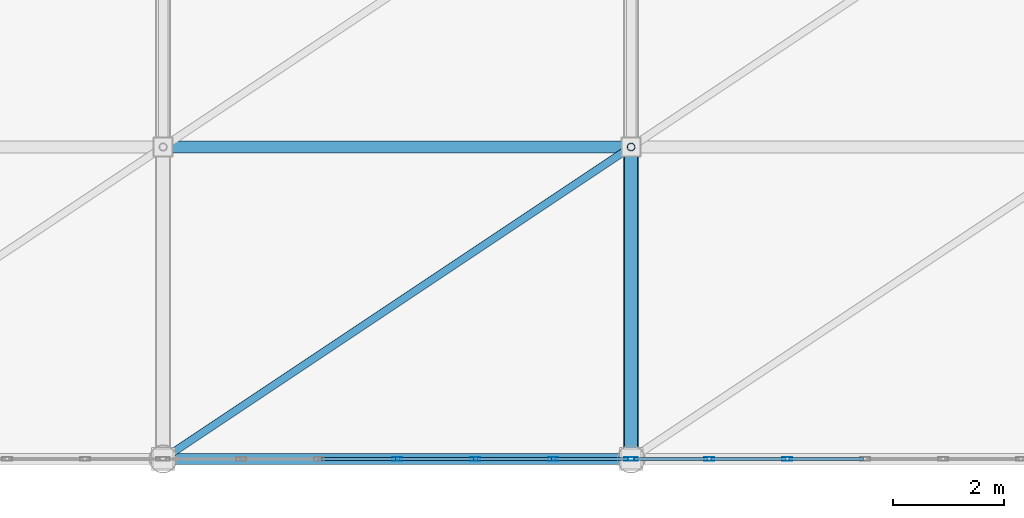
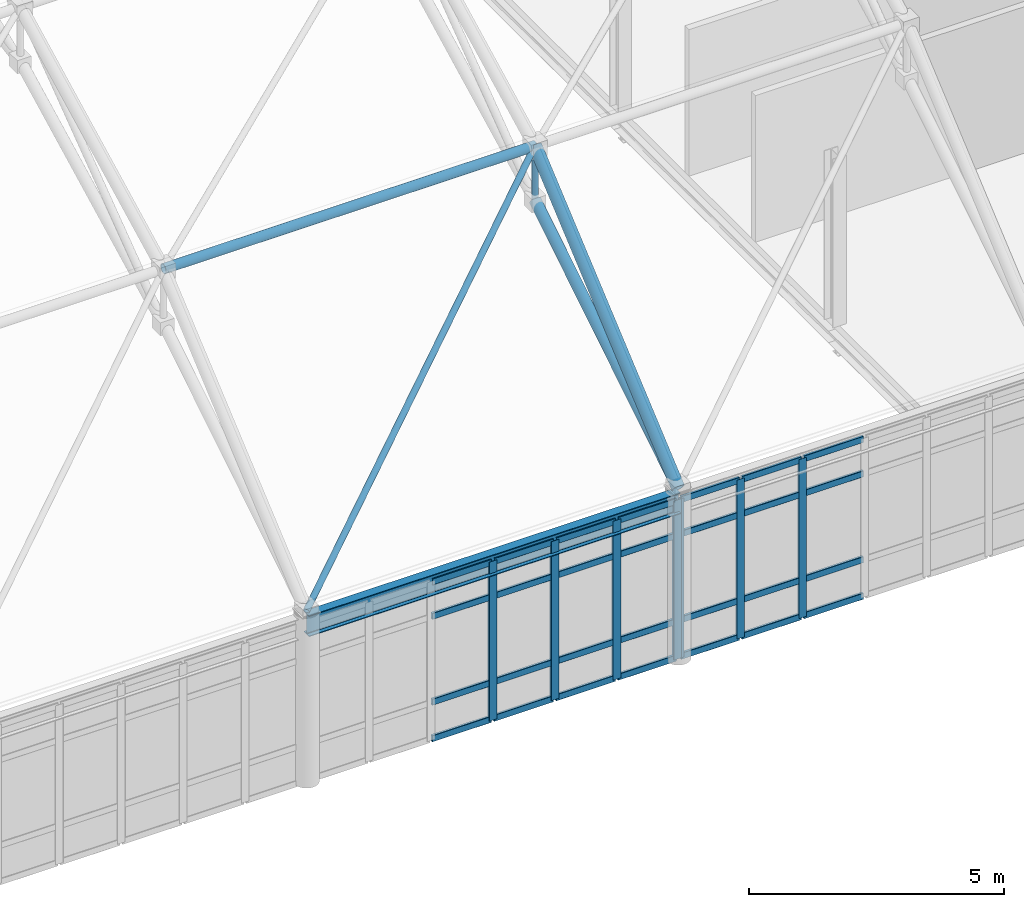
# One storey, part 80 of 184: 40 members, 1 beam, 2 elements without a shape of their own.
"""IFC4 building model written with IfcOpenShell, lengths in metres."""

from ifc_helpers import new_model, si_unit, direction, frame, origin, origin_2d, place, context, subcontext, project, spatial, hollow_rectangle, hollow_circle, i_section, extrude, material, layer, layer_set, material_profile, profile_set, type_object, element, aggregate, save


model = new_model("IFC4")

# Units and contexts
model_context = context("Model", 3, precision=1e-05, world=origin(), true_north=direction((0.0, 1.0)))
body_context = subcontext(model_context, "Body", "Model", "MODEL_VIEW")
ifc_project = project(units=[si_unit("LENGTHUNIT", "METRE"), si_unit("AREAUNIT", "SQUARE_METRE"), si_unit("VOLUMEUNIT", "CUBIC_METRE"), si_unit("PLANEANGLEUNIT", "RADIAN"), si_unit("MASSUNIT", "GRAM", prefix="KILO")], contexts=[model_context])

# Site, building, storey
site_placement = place(None, origin())
site = spatial("IfcSite", under=ifc_project, at=site_placement, CompositionType="ELEMENT")
building_placement = place(site_placement, origin())
building = spatial("IfcBuilding", under=site, at=building_placement, Name="Qalvenar Corner Mobility Hub", CompositionType="ELEMENT")
storey_placement = place(building_placement, frame((0.0, 0.0, 9.0)))
storey = spatial("IfcBuildingStorey", under=building, at=storey_placement, Name="L02", CompositionType="ELEMENT", Elevation=9.0)

# Beam
ifc_material_1 = material(Name="Steel S355", Category="steel")
ifc_material_profile_1 = material_profile(ifc_material_1, i_section(OverallWidth=0.199951171875, OverallDepth=0.5, WebThickness=0.01025390625, FlangeThickness=0.01611328125, FilletRadius=0.02099609375, at=origin_2d()), Name="IPE500")
ifc_profile_set_1 = profile_set([ifc_material_profile_1], Name="Steel S355")
beam_type = type_object("IfcBeamType", Name="BM-IPE500", PredefinedType="BEAM", material=ifc_profile_set_1)
beam_placement = place(storey_placement, frame((92.39990234375, 0.0, 3.75), z_axis=(1.0, 0.0, 0.0), x_axis=(0.0, 1.0, 0.0)))
element("IfcBeam", 1, at=beam_placement, inside=storey, type_object=beam_type, Name="Space Frame Ring Beam SFRB-6-0", PredefinedType="BEAM", context=body_context, shape_type="SweptSolid", body=[
    extrude(i_section(OverallWidth=0.199951171875, OverallDepth=0.5, WebThickness=0.01025390625, FlangeThickness=0.01611328125, FilletRadius=0.02099609375, at=origin_2d()), origin(), (0.0, 0.0, 1.0), 8.400146484375),
])

# Curtain wall, members
ifc_material_2 = material(Name="Anodised Aluminium and Low-E Glazing", Category="aluminium")
ifc_layer = layer(ifc_material_2, 0.179931640625)
ifc_layer_set = layer_set([ifc_layer], Name="Anodised Aluminium and Low-E Glazing")
curtain_wall_type = type_object("IfcCurtainWallType", Name="CW-CONC-84X42", PredefinedType="NOTDEFINED", material=ifc_layer_set)
curtain_wall_1_placement = place(storey_placement, origin())
curtain_wall_1 = element("IfcCurtainWall", 2, at=curtain_wall_1_placement, inside=storey, type_object=curtain_wall_type, Name="Glazed Curtain Wall CW-V1-L02-S5", PredefinedType="NOTDEFINED")
ifc_material_3 = material(Name="Anodised Aluminium 6063-T6", Category="aluminium")
ifc_material_profile_2 = material_profile(ifc_material_3, hollow_rectangle(XDim=0.06494140625, YDim=0.179931640625, WallThickness=0.00390625, InnerFilletRadius=0.00390625, OuterFilletRadius=0.008056640625, at=origin_2d()), Name="RHS180x65x4")
ifc_profile_set_2 = profile_set([ifc_material_profile_2], Name="Anodised Aluminium 6063-T6")
member_type_1 = type_object("IfcMemberType", Name="CW-MUL180", PredefinedType="MULLION", material=ifc_profile_set_2)
member_1_placement = place(storey_placement, frame((96.60009765625, 0.0, 0.0), z_axis=(0.0, 0.0, 1.0), x_axis=(0.0, 1.0, 0.0)))
member_1 = element("IfcMember", 3, at=member_1_placement, type_object=member_type_1, Name="CW-02 mullion 4", PredefinedType="MULLION", context=body_context, shape_type="SweptSolid", body=[
    extrude(hollow_rectangle(XDim=0.06494140625, YDim=0.179931640625, WallThickness=0.00390625, InnerFilletRadius=0.00390625, OuterFilletRadius=0.008056640625, at=origin_2d()), origin(), (0.0, 0.0, 1.0), 3.800048828125),
])
member_2_placement = place(storey_placement, frame((98.0, 0.0, 0.0), z_axis=(0.0, 0.0, 1.0), x_axis=(0.0, 1.0, 0.0)))
member_2 = element("IfcMember", 4, at=member_2_placement, type_object=member_type_1, Name="CW-02 mullion 5", PredefinedType="MULLION", context=body_context, shape_type="SweptSolid", body=[
    extrude(hollow_rectangle(XDim=0.06494140625, YDim=0.179931640625, WallThickness=0.00390625, InnerFilletRadius=0.00390625, OuterFilletRadius=0.008056640625, at=origin_2d()), origin(), (0.0, 0.0, 1.0), 3.800048828125),
])
member_3_placement = place(storey_placement, frame((99.39990234375, 0.0, 0.0), z_axis=(0.0, 0.0, 1.0), x_axis=(0.0, 1.0, 0.0)))
member_3 = element("IfcMember", 5, at=member_3_placement, type_object=member_type_1, Name="CW-02 mullion 6", PredefinedType="MULLION", context=body_context, shape_type="SweptSolid", body=[
    extrude(hollow_rectangle(XDim=0.06494140625, YDim=0.179931640625, WallThickness=0.00390625, InnerFilletRadius=0.00390625, OuterFilletRadius=0.008056640625, at=origin_2d()), origin(), (0.0, 0.0, 1.0), 3.800048828125),
])
member_4_placement = place(storey_placement, frame((100.77001953125, 0.0, 0.0), z_axis=(0.0, 0.0, 1.0), x_axis=(0.0, 1.0, 0.0)))
member_4 = element("IfcMember", 6, at=member_4_placement, type_object=member_type_1, Name="CW-02 mullion 7", PredefinedType="MULLION", context=body_context, shape_type="SweptSolid", body=[
    extrude(hollow_rectangle(XDim=0.06494140625, YDim=0.179931640625, WallThickness=0.00390625, InnerFilletRadius=0.00390625, OuterFilletRadius=0.008056640625, at=origin_2d()), origin(), (0.0, 0.0, 1.0), 3.800048828125),
])

curtain_wall_2_placement = place(storey_placement, origin())
curtain_wall_2 = element("IfcCurtainWall", 7, at=curtain_wall_2_placement, inside=storey, type_object=curtain_wall_type, Name="Glazed Curtain Wall CW-V1-L02-S6", PredefinedType="NOTDEFINED")
member_5_placement = place(storey_placement, frame((100.830078125, 0.0, 0.0), z_axis=(0.0, 0.0, 1.0), x_axis=(0.0, 1.0, 0.0)))
member_5 = element("IfcMember", 8, at=member_5_placement, type_object=member_type_1, Name="CW-02 mullion 1", PredefinedType="MULLION", context=body_context, shape_type="SweptSolid", body=[
    extrude(hollow_rectangle(XDim=0.06494140625, YDim=0.179931640625, WallThickness=0.00390625, InnerFilletRadius=0.00390625, OuterFilletRadius=0.008056640625, at=origin_2d()), origin(), (0.0, 0.0, 1.0), 3.800048828125),
])
member_6_placement = place(storey_placement, frame((102.199951171875, 0.0, 0.0), z_axis=(0.0, 0.0, 1.0), x_axis=(0.0, 1.0, 0.0)))
member_6 = element("IfcMember", 9, at=member_6_placement, type_object=member_type_1, Name="CW-02 mullion 2", PredefinedType="MULLION", context=body_context, shape_type="SweptSolid", body=[
    extrude(hollow_rectangle(XDim=0.06494140625, YDim=0.179931640625, WallThickness=0.00390625, InnerFilletRadius=0.00390625, OuterFilletRadius=0.008056640625, at=origin_2d()), origin(), (0.0, 0.0, 1.0), 3.800048828125),
])
member_7_placement = place(storey_placement, frame((103.60009765625, 0.0, 0.0), z_axis=(0.0, 0.0, 1.0), x_axis=(0.0, 1.0, 0.0)))
member_7 = element("IfcMember", 10, at=member_7_placement, type_object=member_type_1, Name="CW-02 mullion 3", PredefinedType="MULLION", context=body_context, shape_type="SweptSolid", body=[
    extrude(hollow_rectangle(XDim=0.06494140625, YDim=0.179931640625, WallThickness=0.00390625, InnerFilletRadius=0.00390625, OuterFilletRadius=0.008056640625, at=origin_2d()), origin(), (0.0, 0.0, 1.0), 3.800048828125),
])

# Member
ifc_material_profile_3 = material_profile(ifc_material_3, hollow_rectangle(XDim=0.06005859375, YDim=0.14990234375, WallThickness=0.00341796875, InnerFilletRadius=0.00341796875, OuterFilletRadius=0.007080078125, at=origin_2d()), Name="RHS150x60x3.5")
ifc_profile_set_3 = profile_set([ifc_material_profile_3], Name="Anodised Aluminium 6063-T6")
member_type_2 = type_object("IfcMemberType", Name="CW-TRN150", PredefinedType="USERDEFINED", material=ifc_profile_set_3)
member_8_placement = place(storey_placement, frame((95.22998046875, 0.0, 0.027587890625), z_axis=(1.0, 0.0, 0.0), x_axis=(0.0, 1.0, 0.0)))
member_8 = element("IfcMember", 11, at=member_8_placement, type_object=member_type_2, Name="CW-02 transom 3.1", ObjectType="TRANSOM", PredefinedType="USERDEFINED", context=body_context, shape_type="SweptSolid", body=[
    extrude(hollow_rectangle(XDim=0.06005859375, YDim=0.14990234375, WallThickness=0.00341796875, InnerFilletRadius=0.00341796875, OuterFilletRadius=0.007080078125, at=origin_2d()), origin(), (0.0, 0.0, 1.0), 1.340087890625),
])

member_9_placement = place(storey_placement, frame((95.22998046875, 0.0, 0.89990234375), z_axis=(1.0, 0.0, 0.0), x_axis=(0.0, 1.0, 0.0)))
member_9 = element("IfcMember", 12, at=member_9_placement, type_object=member_type_2, Name="CW-02 transom 3.2", ObjectType="TRANSOM", PredefinedType="USERDEFINED", context=body_context, shape_type="SweptSolid", body=[
    extrude(hollow_rectangle(XDim=0.06005859375, YDim=0.14990234375, WallThickness=0.00341796875, InnerFilletRadius=0.00341796875, OuterFilletRadius=0.007080078125, at=origin_2d()), origin(), (0.0, 0.0, 1.0), 1.340087890625),
])

member_10_placement = place(storey_placement, frame((95.22998046875, 0.0, 2.949951171875), z_axis=(1.0, 0.0, 0.0), x_axis=(0.0, 1.0, 0.0)))
member_10 = element("IfcMember", 13, at=member_10_placement, type_object=member_type_2, Name="CW-02 transom 3.3", ObjectType="TRANSOM", PredefinedType="USERDEFINED", context=body_context, shape_type="SweptSolid", body=[
    extrude(hollow_rectangle(XDim=0.06005859375, YDim=0.14990234375, WallThickness=0.00341796875, InnerFilletRadius=0.00341796875, OuterFilletRadius=0.007080078125, at=origin_2d()), origin(), (0.0, 0.0, 1.0), 1.340087890625),
])

member_11_placement = place(storey_placement, frame((95.22998046875, 0.0, 3.7724609375), z_axis=(1.0, 0.0, 0.0), x_axis=(0.0, 1.0, 0.0)))
member_11 = element("IfcMember", 14, at=member_11_placement, type_object=member_type_2, Name="CW-02 transom 3.4", ObjectType="TRANSOM", PredefinedType="USERDEFINED", context=body_context, shape_type="SweptSolid", body=[
    extrude(hollow_rectangle(XDim=0.06005859375, YDim=0.14990234375, WallThickness=0.00341796875, InnerFilletRadius=0.00341796875, OuterFilletRadius=0.007080078125, at=origin_2d()), origin(), (0.0, 0.0, 1.0), 1.340087890625),
])

member_12_placement = place(storey_placement, frame((96.6298828125, 0.0, 0.027587890625), z_axis=(1.0, 0.0, 0.0), x_axis=(0.0, 1.0, 0.0)))
member_12 = element("IfcMember", 15, at=member_12_placement, type_object=member_type_2, Name="CW-02 transom 4.1", ObjectType="TRANSOM", PredefinedType="USERDEFINED", context=body_context, shape_type="SweptSolid", body=[
    extrude(hollow_rectangle(XDim=0.06005859375, YDim=0.14990234375, WallThickness=0.00341796875, InnerFilletRadius=0.00341796875, OuterFilletRadius=0.007080078125, at=origin_2d()), origin(), (0.0, 0.0, 1.0), 1.340087890625),
])

member_13_placement = place(storey_placement, frame((96.6298828125, 0.0, 0.89990234375), z_axis=(1.0, 0.0, 0.0), x_axis=(0.0, 1.0, 0.0)))
member_13 = element("IfcMember", 16, at=member_13_placement, type_object=member_type_2, Name="CW-02 transom 4.2", ObjectType="TRANSOM", PredefinedType="USERDEFINED", context=body_context, shape_type="SweptSolid", body=[
    extrude(hollow_rectangle(XDim=0.06005859375, YDim=0.14990234375, WallThickness=0.00341796875, InnerFilletRadius=0.00341796875, OuterFilletRadius=0.007080078125, at=origin_2d()), origin(), (0.0, 0.0, 1.0), 1.340087890625),
])

member_14_placement = place(storey_placement, frame((96.6298828125, 0.0, 2.949951171875), z_axis=(1.0, 0.0, 0.0), x_axis=(0.0, 1.0, 0.0)))
member_14 = element("IfcMember", 17, at=member_14_placement, type_object=member_type_2, Name="CW-02 transom 4.3", ObjectType="TRANSOM", PredefinedType="USERDEFINED", context=body_context, shape_type="SweptSolid", body=[
    extrude(hollow_rectangle(XDim=0.06005859375, YDim=0.14990234375, WallThickness=0.00341796875, InnerFilletRadius=0.00341796875, OuterFilletRadius=0.007080078125, at=origin_2d()), origin(), (0.0, 0.0, 1.0), 1.340087890625),
])

member_15_placement = place(storey_placement, frame((96.6298828125, 0.0, 3.7724609375), z_axis=(1.0, 0.0, 0.0), x_axis=(0.0, 1.0, 0.0)))
member_15 = element("IfcMember", 18, at=member_15_placement, type_object=member_type_2, Name="CW-02 transom 4.4", ObjectType="TRANSOM", PredefinedType="USERDEFINED", context=body_context, shape_type="SweptSolid", body=[
    extrude(hollow_rectangle(XDim=0.06005859375, YDim=0.14990234375, WallThickness=0.00341796875, InnerFilletRadius=0.00341796875, OuterFilletRadius=0.007080078125, at=origin_2d()), origin(), (0.0, 0.0, 1.0), 1.340087890625),
])

member_16_placement = place(storey_placement, frame((98.030029296875, 0.0, 0.027587890625), z_axis=(1.0, 0.0, 0.0), x_axis=(0.0, 1.0, 0.0)))
member_16 = element("IfcMember", 19, at=member_16_placement, type_object=member_type_2, Name="CW-02 transom 5.1", ObjectType="TRANSOM", PredefinedType="USERDEFINED", context=body_context, shape_type="SweptSolid", body=[
    extrude(hollow_rectangle(XDim=0.06005859375, YDim=0.14990234375, WallThickness=0.00341796875, InnerFilletRadius=0.00341796875, OuterFilletRadius=0.007080078125, at=origin_2d()), origin(), (0.0, 0.0, 1.0), 1.340087890625),
])

member_17_placement = place(storey_placement, frame((98.030029296875, 0.0, 0.89990234375), z_axis=(1.0, 0.0, 0.0), x_axis=(0.0, 1.0, 0.0)))
member_17 = element("IfcMember", 20, at=member_17_placement, type_object=member_type_2, Name="CW-02 transom 5.2", ObjectType="TRANSOM", PredefinedType="USERDEFINED", context=body_context, shape_type="SweptSolid", body=[
    extrude(hollow_rectangle(XDim=0.06005859375, YDim=0.14990234375, WallThickness=0.00341796875, InnerFilletRadius=0.00341796875, OuterFilletRadius=0.007080078125, at=origin_2d()), origin(), (0.0, 0.0, 1.0), 1.340087890625),
])

member_18_placement = place(storey_placement, frame((98.030029296875, 0.0, 2.949951171875), z_axis=(1.0, 0.0, 0.0), x_axis=(0.0, 1.0, 0.0)))
member_18 = element("IfcMember", 21, at=member_18_placement, type_object=member_type_2, Name="CW-02 transom 5.3", ObjectType="TRANSOM", PredefinedType="USERDEFINED", context=body_context, shape_type="SweptSolid", body=[
    extrude(hollow_rectangle(XDim=0.06005859375, YDim=0.14990234375, WallThickness=0.00341796875, InnerFilletRadius=0.00341796875, OuterFilletRadius=0.007080078125, at=origin_2d()), origin(), (0.0, 0.0, 1.0), 1.340087890625),
])

member_19_placement = place(storey_placement, frame((98.030029296875, 0.0, 3.7724609375), z_axis=(1.0, 0.0, 0.0), x_axis=(0.0, 1.0, 0.0)))
member_19 = element("IfcMember", 22, at=member_19_placement, type_object=member_type_2, Name="CW-02 transom 5.4", ObjectType="TRANSOM", PredefinedType="USERDEFINED", context=body_context, shape_type="SweptSolid", body=[
    extrude(hollow_rectangle(XDim=0.06005859375, YDim=0.14990234375, WallThickness=0.00341796875, InnerFilletRadius=0.00341796875, OuterFilletRadius=0.007080078125, at=origin_2d()), origin(), (0.0, 0.0, 1.0), 1.340087890625),
])

member_20_placement = place(storey_placement, frame((99.429931640625, 0.0, 0.027587890625), z_axis=(1.0, 0.0, 0.0), x_axis=(0.0, 1.0, 0.0)))
member_20 = element("IfcMember", 23, at=member_20_placement, type_object=member_type_2, Name="CW-02 transom 6.1", ObjectType="TRANSOM", PredefinedType="USERDEFINED", context=body_context, shape_type="SweptSolid", body=[
    extrude(hollow_rectangle(XDim=0.06005859375, YDim=0.14990234375, WallThickness=0.00341796875, InnerFilletRadius=0.00341796875, OuterFilletRadius=0.007080078125, at=origin_2d()), origin(), (0.0, 0.0, 1.0), 1.31005859375),
])

member_21_placement = place(storey_placement, frame((99.429931640625, 0.0, 0.89990234375), z_axis=(1.0, 0.0, 0.0), x_axis=(0.0, 1.0, 0.0)))
member_21 = element("IfcMember", 24, at=member_21_placement, type_object=member_type_2, Name="CW-02 transom 6.2", ObjectType="TRANSOM", PredefinedType="USERDEFINED", context=body_context, shape_type="SweptSolid", body=[
    extrude(hollow_rectangle(XDim=0.06005859375, YDim=0.14990234375, WallThickness=0.00341796875, InnerFilletRadius=0.00341796875, OuterFilletRadius=0.007080078125, at=origin_2d()), origin(), (0.0, 0.0, 1.0), 1.31005859375),
])

member_22_placement = place(storey_placement, frame((99.429931640625, 0.0, 2.949951171875), z_axis=(1.0, 0.0, 0.0), x_axis=(0.0, 1.0, 0.0)))
member_22 = element("IfcMember", 25, at=member_22_placement, type_object=member_type_2, Name="CW-02 transom 6.3", ObjectType="TRANSOM", PredefinedType="USERDEFINED", context=body_context, shape_type="SweptSolid", body=[
    extrude(hollow_rectangle(XDim=0.06005859375, YDim=0.14990234375, WallThickness=0.00341796875, InnerFilletRadius=0.00341796875, OuterFilletRadius=0.007080078125, at=origin_2d()), origin(), (0.0, 0.0, 1.0), 1.31005859375),
])

member_23_placement = place(storey_placement, frame((99.429931640625, 0.0, 3.7724609375), z_axis=(1.0, 0.0, 0.0), x_axis=(0.0, 1.0, 0.0)))
member_23 = element("IfcMember", 26, at=member_23_placement, type_object=member_type_2, Name="CW-02 transom 6.4", ObjectType="TRANSOM", PredefinedType="USERDEFINED", context=body_context, shape_type="SweptSolid", body=[
    extrude(hollow_rectangle(XDim=0.06005859375, YDim=0.14990234375, WallThickness=0.00341796875, InnerFilletRadius=0.00341796875, OuterFilletRadius=0.007080078125, at=origin_2d()), origin(), (0.0, 0.0, 1.0), 1.31005859375),
])

aggregate(curtain_wall_1, [member_1, member_2, member_3, member_4, member_8, member_9, member_10, member_11, member_12, member_13, member_14, member_15, member_16, member_17, member_18, member_19, member_20, member_21, member_22, member_23])

member_24_placement = place(storey_placement, frame((100.860107421875, 0.0, 0.027587890625), z_axis=(1.0, 0.0, 0.0), x_axis=(0.0, 1.0, 0.0)))
member_24 = element("IfcMember", 27, at=member_24_placement, type_object=member_type_2, Name="CW-02 transom 1.1", ObjectType="TRANSOM", PredefinedType="USERDEFINED", context=body_context, shape_type="SweptSolid", body=[
    extrude(hollow_rectangle(XDim=0.06005859375, YDim=0.14990234375, WallThickness=0.00341796875, InnerFilletRadius=0.00341796875, OuterFilletRadius=0.007080078125, at=origin_2d()), origin(), (0.0, 0.0, 1.0), 1.309814453125),
])

member_25_placement = place(storey_placement, frame((100.860107421875, 0.0, 0.89990234375), z_axis=(1.0, 0.0, 0.0), x_axis=(0.0, 1.0, 0.0)))
member_25 = element("IfcMember", 28, at=member_25_placement, type_object=member_type_2, Name="CW-02 transom 1.2", ObjectType="TRANSOM", PredefinedType="USERDEFINED", context=body_context, shape_type="SweptSolid", body=[
    extrude(hollow_rectangle(XDim=0.06005859375, YDim=0.14990234375, WallThickness=0.00341796875, InnerFilletRadius=0.00341796875, OuterFilletRadius=0.007080078125, at=origin_2d()), origin(), (0.0, 0.0, 1.0), 1.309814453125),
])

member_26_placement = place(storey_placement, frame((100.860107421875, 0.0, 2.949951171875), z_axis=(1.0, 0.0, 0.0), x_axis=(0.0, 1.0, 0.0)))
member_26 = element("IfcMember", 29, at=member_26_placement, type_object=member_type_2, Name="CW-02 transom 1.3", ObjectType="TRANSOM", PredefinedType="USERDEFINED", context=body_context, shape_type="SweptSolid", body=[
    extrude(hollow_rectangle(XDim=0.06005859375, YDim=0.14990234375, WallThickness=0.00341796875, InnerFilletRadius=0.00341796875, OuterFilletRadius=0.007080078125, at=origin_2d()), origin(), (0.0, 0.0, 1.0), 1.309814453125),
])

member_27_placement = place(storey_placement, frame((100.860107421875, 0.0, 3.7724609375), z_axis=(1.0, 0.0, 0.0), x_axis=(0.0, 1.0, 0.0)))
member_27 = element("IfcMember", 30, at=member_27_placement, type_object=member_type_2, Name="CW-02 transom 1.4", ObjectType="TRANSOM", PredefinedType="USERDEFINED", context=body_context, shape_type="SweptSolid", body=[
    extrude(hollow_rectangle(XDim=0.06005859375, YDim=0.14990234375, WallThickness=0.00341796875, InnerFilletRadius=0.00341796875, OuterFilletRadius=0.007080078125, at=origin_2d()), origin(), (0.0, 0.0, 1.0), 1.309814453125),
])

member_28_placement = place(storey_placement, frame((102.22998046875, 0.0, 0.027587890625), z_axis=(1.0, 0.0, 0.0), x_axis=(0.0, 1.0, 0.0)))
member_28 = element("IfcMember", 31, at=member_28_placement, type_object=member_type_2, Name="CW-02 transom 2.1", ObjectType="TRANSOM", PredefinedType="USERDEFINED", context=body_context, shape_type="SweptSolid", body=[
    extrude(hollow_rectangle(XDim=0.06005859375, YDim=0.14990234375, WallThickness=0.00341796875, InnerFilletRadius=0.00341796875, OuterFilletRadius=0.007080078125, at=origin_2d()), origin(), (0.0, 0.0, 1.0), 1.340087890625),
])

member_29_placement = place(storey_placement, frame((102.22998046875, 0.0, 0.89990234375), z_axis=(1.0, 0.0, 0.0), x_axis=(0.0, 1.0, 0.0)))
member_29 = element("IfcMember", 32, at=member_29_placement, type_object=member_type_2, Name="CW-02 transom 2.2", ObjectType="TRANSOM", PredefinedType="USERDEFINED", context=body_context, shape_type="SweptSolid", body=[
    extrude(hollow_rectangle(XDim=0.06005859375, YDim=0.14990234375, WallThickness=0.00341796875, InnerFilletRadius=0.00341796875, OuterFilletRadius=0.007080078125, at=origin_2d()), origin(), (0.0, 0.0, 1.0), 1.340087890625),
])

member_30_placement = place(storey_placement, frame((102.22998046875, 0.0, 2.949951171875), z_axis=(1.0, 0.0, 0.0), x_axis=(0.0, 1.0, 0.0)))
member_30 = element("IfcMember", 33, at=member_30_placement, type_object=member_type_2, Name="CW-02 transom 2.3", ObjectType="TRANSOM", PredefinedType="USERDEFINED", context=body_context, shape_type="SweptSolid", body=[
    extrude(hollow_rectangle(XDim=0.06005859375, YDim=0.14990234375, WallThickness=0.00341796875, InnerFilletRadius=0.00341796875, OuterFilletRadius=0.007080078125, at=origin_2d()), origin(), (0.0, 0.0, 1.0), 1.340087890625),
])

member_31_placement = place(storey_placement, frame((102.22998046875, 0.0, 3.7724609375), z_axis=(1.0, 0.0, 0.0), x_axis=(0.0, 1.0, 0.0)))
member_31 = element("IfcMember", 34, at=member_31_placement, type_object=member_type_2, Name="CW-02 transom 2.4", ObjectType="TRANSOM", PredefinedType="USERDEFINED", context=body_context, shape_type="SweptSolid", body=[
    extrude(hollow_rectangle(XDim=0.06005859375, YDim=0.14990234375, WallThickness=0.00341796875, InnerFilletRadius=0.00341796875, OuterFilletRadius=0.007080078125, at=origin_2d()), origin(), (0.0, 0.0, 1.0), 1.340087890625),
])

member_32_placement = place(storey_placement, frame((103.6298828125, 0.0, 0.027587890625), z_axis=(1.0, 0.0, 0.0), x_axis=(0.0, 1.0, 0.0)))
member_32 = element("IfcMember", 35, at=member_32_placement, type_object=member_type_2, Name="CW-02 transom 3.1", ObjectType="TRANSOM", PredefinedType="USERDEFINED", context=body_context, shape_type="SweptSolid", body=[
    extrude(hollow_rectangle(XDim=0.06005859375, YDim=0.14990234375, WallThickness=0.00341796875, InnerFilletRadius=0.00341796875, OuterFilletRadius=0.007080078125, at=origin_2d()), origin(), (0.0, 0.0, 1.0), 1.340087890625),
])

member_33_placement = place(storey_placement, frame((103.6298828125, 0.0, 0.89990234375), z_axis=(1.0, 0.0, 0.0), x_axis=(0.0, 1.0, 0.0)))
member_33 = element("IfcMember", 36, at=member_33_placement, type_object=member_type_2, Name="CW-02 transom 3.2", ObjectType="TRANSOM", PredefinedType="USERDEFINED", context=body_context, shape_type="SweptSolid", body=[
    extrude(hollow_rectangle(XDim=0.06005859375, YDim=0.14990234375, WallThickness=0.00341796875, InnerFilletRadius=0.00341796875, OuterFilletRadius=0.007080078125, at=origin_2d()), origin(), (0.0, 0.0, 1.0), 1.340087890625),
])

member_34_placement = place(storey_placement, frame((103.6298828125, 0.0, 2.949951171875), z_axis=(1.0, 0.0, 0.0), x_axis=(0.0, 1.0, 0.0)))
member_34 = element("IfcMember", 37, at=member_34_placement, type_object=member_type_2, Name="CW-02 transom 3.3", ObjectType="TRANSOM", PredefinedType="USERDEFINED", context=body_context, shape_type="SweptSolid", body=[
    extrude(hollow_rectangle(XDim=0.06005859375, YDim=0.14990234375, WallThickness=0.00341796875, InnerFilletRadius=0.00341796875, OuterFilletRadius=0.007080078125, at=origin_2d()), origin(), (0.0, 0.0, 1.0), 1.340087890625),
])

member_35_placement = place(storey_placement, frame((103.6298828125, 0.0, 3.7724609375), z_axis=(1.0, 0.0, 0.0), x_axis=(0.0, 1.0, 0.0)))
member_35 = element("IfcMember", 38, at=member_35_placement, type_object=member_type_2, Name="CW-02 transom 3.4", ObjectType="TRANSOM", PredefinedType="USERDEFINED", context=body_context, shape_type="SweptSolid", body=[
    extrude(hollow_rectangle(XDim=0.06005859375, YDim=0.14990234375, WallThickness=0.00341796875, InnerFilletRadius=0.00341796875, OuterFilletRadius=0.007080078125, at=origin_2d()), origin(), (0.0, 0.0, 1.0), 1.340087890625),
])

aggregate(curtain_wall_2, [member_5, member_6, member_7, member_24, member_25, member_26, member_27, member_28, member_29, member_30, member_31, member_32, member_33, member_34, member_35])

# Members
ifc_material_4 = material(Name="Steel S355", Category="steel")
ifc_material_profile_4 = material_profile(ifc_material_4, hollow_circle(Radius=0.109619140625, WallThickness=0.008056640625, at=origin_2d()), Name="CHS219.1x8")
ifc_profile_set_4 = profile_set([ifc_material_profile_4], Name="Steel S355")
member_type_3 = type_object("IfcMemberType", Name="SF-CHD219", PredefinedType="CHORD", material=ifc_profile_set_4)
member_36_placement = place(storey_placement, frame((92.39990234375, 5.60009765625, 8.837890625), z_axis=(1.0, 0.0, 0.0), x_axis=(0.0, 1.0, 0.0)))
element("IfcMember", 39, at=member_36_placement, inside=storey, type_object=member_type_3, Name="Space Frame Longitudinal Chord SFL-0224", PredefinedType="CHORD", context=body_context, shape_type="SweptSolid", body=[
    extrude(hollow_circle(Radius=0.109619140625, WallThickness=0.008056640625, at=origin_2d()), origin(), (0.0, 0.0, 1.0), 8.400146484375),
])
ifc_material_profile_5 = material_profile(ifc_material_4, hollow_circle(Radius=0.122314453125, WallThickness=0.0087890625, at=origin_2d()), Name="CHS244.5x8.8")
ifc_profile_set_5 = profile_set([ifc_material_profile_5], Name="Steel S355")
member_type_4 = type_object("IfcMemberType", Name="SF-CHD244", PredefinedType="CHORD", material=ifc_profile_set_5)
member_37_placement = place(storey_placement, frame((100.800048828125, 0.0, 4.06005859375), z_axis=(0.0, 0.849513681623, 0.527566587964), x_axis=(-1.0, 0.0, 0.0)))
element("IfcMember", 40, at=member_37_placement, inside=storey, type_object=member_type_4, Name="Space Frame Bottom Chord SFBC-0128", PredefinedType="CHORD", context=body_context, shape_type="SweptSolid", body=[
    extrude(hollow_circle(Radius=0.122314453125, WallThickness=0.0087890625, at=origin_2d()), origin(), (0.0, 0.0, 1.0), 6.592041015625),
])
ifc_material_profile_6 = material_profile(ifc_material_4, hollow_circle(Radius=0.136474609375, WallThickness=0.010009765625, at=origin_2d()), Name="CHS273x10")
ifc_profile_set_6 = profile_set([ifc_material_profile_6], Name="Steel S355")
member_type_5 = type_object("IfcMemberType", Name="SF-CHD273", PredefinedType="CHORD", material=ifc_profile_set_6)
member_38_placement = place(storey_placement, frame((100.800048828125, 0.0, 4.06005859375), z_axis=(0.0, 0.760748216799, 0.64904710972), x_axis=(-1.0, 0.0, 0.0)))
element("IfcMember", 41, at=member_38_placement, inside=storey, type_object=member_type_5, Name="Space Frame Top Chord SFTC-0127", PredefinedType="CHORD", context=body_context, shape_type="SweptSolid", body=[
    extrude(hollow_circle(Radius=0.136474609375, WallThickness=0.010009765625, at=origin_2d()), origin(), (0.0, 0.0, 1.0), 7.361328125),
])
ifc_material_profile_7 = material_profile(ifc_material_4, hollow_circle(Radius=0.06982421875, WallThickness=0.0048828125, at=origin_2d()), Name="CHS139.7x5")
ifc_profile_set_7 = profile_set([ifc_material_profile_7], Name="Steel S355")
member_type_6 = type_object("IfcMemberType", Name="SF-STR139", PredefinedType="STRUT", material=ifc_profile_set_7)
member_39_placement = place(storey_placement, frame((100.800048828125, 5.60009765625, 7.537841796875), z_axis=(0.0, 0.0, 1.0), x_axis=(1.0, 0.0, 0.0)))
element("IfcMember", 42, at=member_39_placement, inside=storey, type_object=member_type_6, Name="Space Frame King Strut SFV-0143", PredefinedType="STRUT", context=body_context, shape_type="SweptSolid", body=[
    extrude(hollow_circle(Radius=0.06982421875, WallThickness=0.0048828125, at=origin_2d()), origin(), (0.0, 0.0, 1.0), 1.300048828125),
])
member_40_placement = place(storey_placement, frame((92.39990234375, 0.0, 4.06005859375), z_axis=(0.752080684615, 0.501387123077, 0.427768157582), x_axis=(-0.554700196225, 0.832050294338, 0.0)))
element("IfcMember", 43, at=member_40_placement, inside=storey, type_object=member_type_6, Name="Space Frame Plan Strut SFP-0229", PredefinedType="STRUT", context=body_context, shape_type="SweptSolid", body=[
    extrude(hollow_circle(Radius=0.06982421875, WallThickness=0.0048828125, at=origin_2d()), origin(), (0.0, 0.0, 1.0), 11.169189453125),
])

save(model, "model.ifc")
